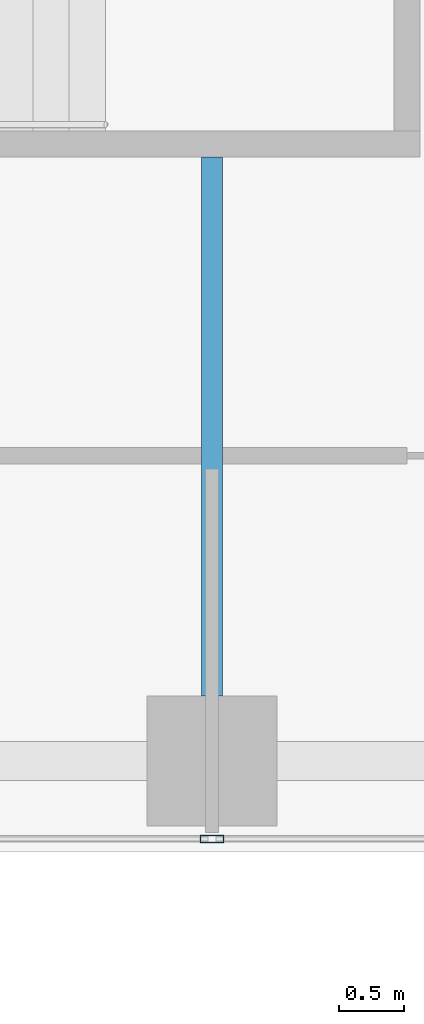
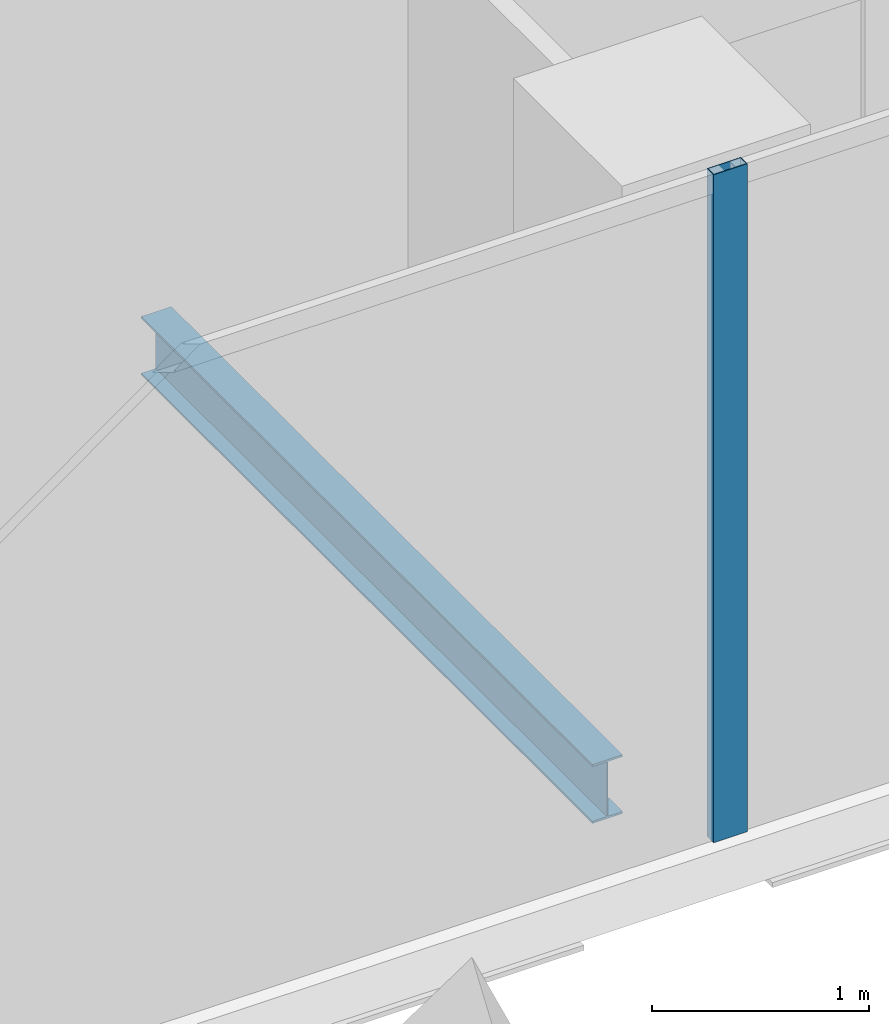
# One storey, part 6 of 38: 1 beam, 1 member, 1 element without a shape of its own.
"""IFC4 building model written with IfcOpenShell, lengths in metres."""

from ifc_helpers import new_model, si_unit, direction, frame, origin, origin_2d, place, context, subcontext, project, spatial, hollow_rectangle, i_section, extrude, source, transform, mapped, material, material_profile, profile_set, type_object, element, aggregate, save


model = new_model("IFC4")

# Units and contexts
model_context = context("Model", 3, precision=1e-05, world=origin(), true_north=direction((0.0, 1.0)))
body_context = subcontext(model_context, "Body", "Model", "MODEL_VIEW")
ifc_project = project(units=[si_unit("LENGTHUNIT", "METRE"), si_unit("AREAUNIT", "SQUARE_METRE"), si_unit("VOLUMEUNIT", "CUBIC_METRE"), si_unit("PLANEANGLEUNIT", "RADIAN"), si_unit("MASSUNIT", "GRAM", prefix="KILO")], contexts=[model_context])

# Site, building, storey
site_placement = place(None, origin())
site = spatial("IfcSite", under=ifc_project, at=site_placement, CompositionType="ELEMENT")
building_placement = place(site_placement, origin())
building = spatial("IfcBuilding", under=site, at=building_placement, Name="Khomas Fold Tower", CompositionType="ELEMENT")
storey_placement = place(building_placement, frame((0.0, 0.0, 196.699951171875)))
storey = spatial("IfcBuildingStorey", under=building, at=storey_placement, Name="L43", CompositionType="ELEMENT", Elevation=196.699951171875)

# Beam
ifc_material_1 = material(Name="Steel S355", Category="steel")
ifc_material_profile_1 = material_profile(ifc_material_1, i_section(OverallWidth=0.159912109375, OverallDepth=0.330078125, WebThickness=0.007568359375, FlangeThickness=0.011474609375, at=origin_2d()), Name="IPE 330")
ifc_profile_set_1 = profile_set([ifc_material_profile_1], Name="Steel S355")
beam_type = type_object("IfcBeamType", Name="IPE 330 beam JB1", PredefinedType="BEAM", material=ifc_profile_set_1)
shared_shape_1 = source(origin(), body_context, "Body", "SweptSolid", [
    extrude(i_section(OverallWidth=0.159912109375, OverallDepth=0.330078125, WebThickness=0.007568359375, FlangeThickness=0.011474609375, at=origin_2d()), origin(), (0.0, 0.0, 1.0), 4.150146484375),
])
beam_placement = place(storey_placement, frame((19.5, 4.199951171875, -0.4150390625), z_axis=(0.0, 1.0, 0.0), x_axis=(-1.0, 0.0, 0.0)))
element("IfcBeam", 1, at=beam_placement, inside=storey, type_object=beam_type, Name="JB1", PredefinedType="BEAM", context=body_context, shape_type="MappedRepresentation", body=[
    mapped(shared_shape_1, transform((0.0, 0.0, 0.0))),
])

# Curtain wall, member
ifc_material_2 = material(Name="Aluminium framed double glazing", Category="aluminium")
curtain_wall_type = type_object("IfcCurtainWallType", Name="SK-Unitised clear-glass wall, office floors CW2", PredefinedType="NOTDEFINED", material=ifc_material_2)
curtain_wall_placement = place(storey_placement, origin())
curtain_wall = element("IfcCurtainWall", 2, at=curtain_wall_placement, inside=storey, type_object=curtain_wall_type, Name="CW2 run L43 00-0", PredefinedType="NOTDEFINED")
ifc_material_3 = material(Name="Aluminium", Category="aluminium")
ifc_material_profile_2 = material_profile(ifc_material_3, hollow_rectangle(XDim=0.06005859375, YDim=0.179931640625, WallThickness=0.00390625, at=origin_2d()), Name="SK-Unitised clear-glass wall, office floors mullion CW2-M")
ifc_profile_set_2 = profile_set([ifc_material_profile_2], Name="Aluminium")
member_type = type_object("IfcMemberType", Name="SK-Unitised clear-glass wall, office floors mullion CW2-M", PredefinedType="MULLION", material=ifc_profile_set_2)
shared_shape_2 = source(origin(), body_context, "Body", "SweptSolid", [
    extrude(hollow_rectangle(XDim=0.06005859375, YDim=0.179931640625, WallThickness=0.00390625, at=origin_2d()), origin(), (0.0, 0.0, 1.0), 3.75),
])
member_placement = place(storey_placement, frame((19.5, 3.10009765625, 0.0), z_axis=(0.0, 0.0, 1.0), x_axis=(0.0, 1.0, 0.0)))
member = element("IfcMember", 3, at=member_placement, type_object=member_type, Name="CW2 mullion 4", PredefinedType="MULLION", context=body_context, shape_type="MappedRepresentation", body=[
    mapped(shared_shape_2, transform((0.0, 0.0, 0.0))),
])
aggregate(curtain_wall, [member])

save(model, "model.ifc")
